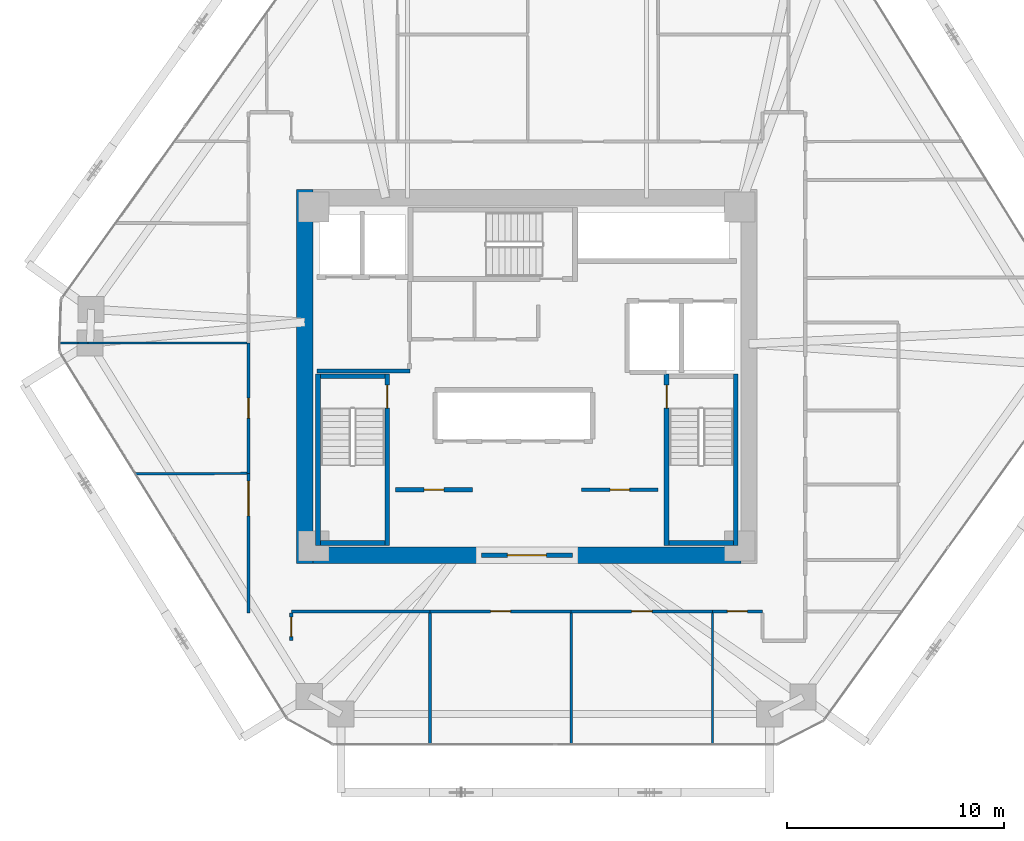
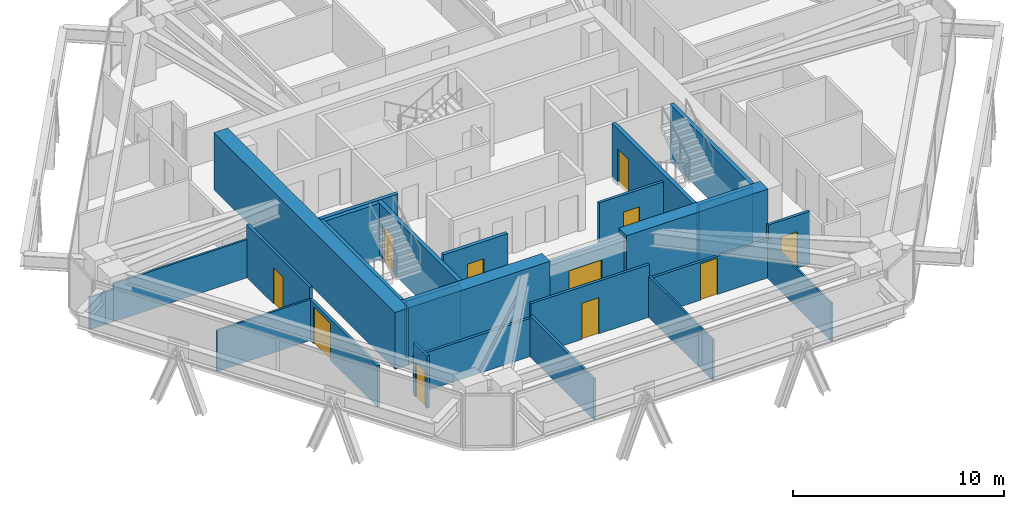
# One storey, part 12 of 16: 28 walls, 11 doors, 11 openings.
"""IFC4 building model written with IfcOpenShell, lengths in metres."""

from ifc_helpers import new_model, si_unit, direction, frame, frame_2d, origin, place, context, subcontext, project, spatial, rectangle, extrude, source, transform, mapped, material, layer, layer_set, type_object, type_shapes, element, fill, save


model = new_model("IFC4")

# Units and contexts
model_context = context("Model", 3, precision=1e-05, world=origin(), true_north=direction((0.0, 1.0)))
body_context = subcontext(model_context, "Body", "Model", "MODEL_VIEW")
ifc_project = project(units=[si_unit("LENGTHUNIT", "METRE"), si_unit("AREAUNIT", "SQUARE_METRE"), si_unit("VOLUMEUNIT", "CUBIC_METRE"), si_unit("PLANEANGLEUNIT", "RADIAN"), si_unit("MASSUNIT", "GRAM", prefix="KILO")], contexts=[model_context])

# Site, building, storey
site_placement = place(None, origin())
site = spatial("IfcSite", under=ifc_project, at=site_placement, CompositionType="ELEMENT")
building_placement = place(site_placement, origin())
building = spatial("IfcBuilding", under=site, at=building_placement, Name="Durnholm Broadcast Tower", CompositionType="ELEMENT")
storey_placement = place(building_placement, frame((0.0, 0.0, 117.300048828125)))
storey = spatial("IfcBuildingStorey", under=building, at=storey_placement, Name="L31", CompositionType="ELEMENT", Elevation=117.300048828125)

# Walls
ifc_material_1 = material(Name="Concrete C70/85", Category="concrete")
ifc_layer_1 = layer(ifc_material_1, 0.75)
ifc_layer_set_1 = layer_set([ifc_layer_1], Name="Concrete C70/85")
wall_type_1 = type_object("IfcWallType", Name="WALL-CW-750", PredefinedType="SHEAR", material=ifc_layer_set_1)
wall_1_placement = place(storey_placement, frame((-10.22509765625, -8.60009765625, 0.0), z_axis=(0.0, 0.0, 1.0), x_axis=(0.0, 1.0, 0.0)))
element("IfcWall", 1, at=wall_1_placement, inside=storey, type_object=wall_type_1, Name="L31 central core shear wall CW-WEST", PredefinedType="SHEAR", context=body_context, shape_type="SweptSolid", body=[
    extrude(rectangle(XDim=17.2001953125, YDim=0.75, at=frame_2d((8.60009765625, 0.0))), origin(), (0.0, 0.0, 1.0), 3.300048828125),
])
for number, where, z_axis, x_axis, name in (
    (2, (-9.85009765625, -8.22509765625, 0.0), (0.0, 0.0, 1.0), (1.0, 0.0, 0.0), "L31 central core shear wall CW-S1"),
    (3, (2.10009765625, -8.22509765625, 0.0), (0.0, 0.0, 1.0), (1.0, 0.0, 0.0), "L31 central core shear wall CW-S2"),
):
    element("IfcWall", number, at=place(storey_placement, frame(where, z_axis=z_axis, x_axis=x_axis)), inside=storey, type_object=wall_type_1, Name=name, PredefinedType="SHEAR", context=body_context, shape_type="SweptSolid", body=[
        extrude(rectangle(XDim=7.75, YDim=0.75, at=frame_2d((3.875, 0.0))), origin(), (0.0, 0.0, 1.0), 3.300048828125),
    ])

# Wall, opening, door
ifc_material_2 = material(Name="Fire-Rated Gypsum Shaftwall", Category="concrete")
ifc_layer_2 = layer(ifc_material_2, 0.199951171875)
ifc_layer_set_2 = layer_set([ifc_layer_2], Name="Fire-Rated Gypsum Shaftwall")
wall_type_2 = type_object("IfcWallType", Name="WALL-LOB-200", PredefinedType="SOLIDWALL", material=ifc_layer_set_2)
wall_2_placement = place(storey_placement, frame((-2.10009765625, -8.22509765625, 0.0), z_axis=(0.0, 0.0, 1.0), x_axis=(1.0, 0.0, 0.0)))
wall_2 = element("IfcWall", 4, at=wall_2_placement, inside=storey, type_object=wall_type_2, Name="L31 south core lobby fire screen", PredefinedType="SOLIDWALL", context=body_context, shape_type="SweptSolid", body=[
    extrude(rectangle(XDim=4.2001953125, YDim=0.199951171875, at=frame_2d((2.10009765625, 0.0))), origin(), (0.0, 0.0, 1.0), 3.044921875),
])
opening_1_placement = place(wall_2_placement, frame((1.199951171875, 0.0, 0.0)))
opening_1 = element("IfcOpeningElement", 5, at=opening_1_placement, cuts=wall_2, Name="Opening DP-60", PredefinedType="OPENING", context=body_context, shape_type="SweptSolid", body=[
    extrude(rectangle(XDim=1.800048828125, YDim=2.14990234375, at=frame_2d((0.89990234375, 1.074951171875))), frame((0.0, 0.10986328125, 0.0), z_axis=(0.0, -1.0, 0.0), x_axis=(1.0, 0.0, 0.0)), (0.0, 0.0, 1.0), 0.219970703125),
])
ifc_material_3 = material(Name="Fire-Rated Double Corridor Door", Category="steel")
ifc_layer_3 = layer(ifc_material_3, 0.050048828125)
ifc_layer_set_3 = layer_set([ifc_layer_3], Name="Fire-Rated Double Corridor Door")
door_type_1 = type_object("IfcDoorType", Name="DOOR-PAIR-FD60", OperationType="DOUBLE_DOOR_SINGLE_SWING", PredefinedType="DOOR", material=ifc_layer_set_3)
shared_shape_1 = source(origin(), body_context, "Body", "SweptSolid", [
    extrude(rectangle(XDim=1.800048828125, YDim=2.14990234375, at=frame_2d((0.89990234375, 1.074951171875))), frame((0.0, 0.02490234375, 0.0), z_axis=(0.0, -1.0, 0.0), x_axis=(1.0, 0.0, 0.0)), (0.0, 0.0, 1.0), 0.050048828125),
])
type_shapes(door_type_1, [shared_shape_1])
door_1_placement = place(opening_1_placement, origin())
door_1 = element("IfcDoor", 6, at=door_1_placement, inside=storey, type_object=door_type_1, Name="L31 south core lobby double fire door", OperationType="DOUBLE_DOOR_SINGLE_SWING", OverallHeight=2.14990234375, OverallWidth=1.800048828125, PredefinedType="DOOR", context=body_context, shape_type="MappedRepresentation", body=[
    mapped(shared_shape_1, transform((0.0, 0.0, 0.0), x_axis=(1.0, 0.0, 0.0), y_axis=(0.0, 1.0, 0.0), z_axis=(0.0, 0.0, 1.0), scale=1.0)),
])
fill(opening_1, door_1)

# Wall
wall_3_placement = place(storey_placement, frame((-9.64990234375, 0.25, 0.0), z_axis=(0.0, 0.0, 1.0), x_axis=(1.0, 0.0, 0.0)))
element("IfcWall", 7, at=wall_3_placement, inside=storey, type_object=wall_type_2, Name="L31 Fire Service Access Elevator lobby south wall", PredefinedType="SOLIDWALL", context=body_context, shape_type="SweptSolid", body=[
    extrude(rectangle(XDim=4.27001953125, YDim=0.199951171875, at=frame_2d((2.135009765625, 0.0))), origin(), (0.0, 0.0, 1.0), 3.044921875),
])

# Wall, opening, door
wall_4_placement = place(storey_placement, frame((-6.0400390625, -5.2099609375, 0.0), z_axis=(0.0, 0.0, 1.0), x_axis=(1.0, 0.0, 0.0)))
wall_4 = element("IfcWall", 8, at=wall_4_placement, inside=storey, type_object=wall_type_2, Name="L31 Broadcast Signal Rack Room corridor partition", PredefinedType="SOLIDWALL", context=body_context, shape_type="SweptSolid", body=[
    extrude(rectangle(XDim=3.530029296875, YDim=0.199951171875, at=frame_2d((1.76513671875, 0.0))), origin(), (0.0, 0.0, 1.0), 3.044921875),
])
opening_2_placement = place(wall_4_placement, frame((1.31494140625, 0.0, 0.0)))
opening_2 = element("IfcOpeningElement", 9, at=opening_2_placement, cuts=wall_4, Name="Opening DC-60R", PredefinedType="OPENING", context=body_context, shape_type="SweptSolid", body=[
    extrude(rectangle(XDim=0.89990234375, YDim=2.050048828125, at=frame_2d((0.449951171875, 1.02490234375))), frame((0.0, 0.10986328125, 0.0), z_axis=(0.0, -1.0, 0.0), x_axis=(1.0, 0.0, 0.0)), (0.0, 0.0, 1.0), 0.219970703125),
])
ifc_material_4 = material(Name="Fire-Rated Core Service Door", Category="steel")
ifc_layer_4 = layer(ifc_material_4, 0.050048828125)
ifc_layer_set_4 = layer_set([ifc_layer_4], Name="Fire-Rated Core Service Door")
door_type_2 = type_object("IfcDoorType", Name="DOOR-CORE-FD60-R", OperationType="NOTDEFINED", PredefinedType="DOOR", material=ifc_layer_set_4)
shared_shape_2 = source(origin(), body_context, "Body", "SweptSolid", [
    extrude(rectangle(XDim=0.89990234375, YDim=2.050048828125, at=frame_2d((0.449951171875, 1.02490234375))), frame((0.0, 0.02490234375, 0.0), z_axis=(0.0, -1.0, 0.0), x_axis=(1.0, 0.0, 0.0)), (0.0, 0.0, 1.0), 0.050048828125),
])
type_shapes(door_type_2, [shared_shape_2])
door_2_placement = place(opening_2_placement, origin())
door_2 = element("IfcDoor", 10, at=door_2_placement, inside=storey, type_object=door_type_2, Name="L31 Broadcast Signal Rack Room entrance door", OperationType="SINGLE_SWING_RIGHT", OverallHeight=2.050048828125, OverallWidth=0.89990234375, PredefinedType="DOOR", context=body_context, shape_type="MappedRepresentation", body=[
    mapped(shared_shape_2, transform((0.0, 0.0, 0.0), x_axis=(1.0, 0.0, 0.0), y_axis=(0.0, 1.0, 0.0), z_axis=(0.0, 0.0, 1.0), scale=1.0)),
])
fill(opening_2, door_2)

# Walls
ifc_material_5 = material(Name="Operable Acoustic Panel Partition", Category="aluminium")
ifc_layer_5 = layer(ifc_material_5, 0.110107421875)
ifc_layer_set_5 = layer_set([ifc_layer_5], Name="Operable Acoustic Panel Partition")
wall_type_3 = type_object("IfcWallType", Name="WALL-MOV-110", PredefinedType="MOVABLE", material=ifc_layer_set_5)
wall_5_placement = place(storey_placement, frame((2.0400390625, -10.888916015625, 0.0), z_axis=(0.0, 0.0, 1.0), x_axis=(0.0, -1.0, 0.0)))
element("IfcWall", 11, at=wall_5_placement, inside=storey, type_object=wall_type_3, Name="L31 room dividing partition 17.18", PredefinedType="MOVABLE", context=body_context, shape_type="SweptSolid", body=[
    extrude(rectangle(XDim=6.048095703125, YDim=0.110107421875, at=frame_2d((3.02392578125, 0.0))), origin(), (0.0, 0.0, 1.0), 2.3798828125),
])
wall_6_placement = place(storey_placement, frame((8.5400390625, -10.888916015625, 0.0), z_axis=(0.0, 0.0, 1.0), x_axis=(0.0, -1.0, 0.0)))
element("IfcWall", 12, at=wall_6_placement, inside=storey, type_object=wall_type_3, Name="L31 room dividing partition 18.19", PredefinedType="MOVABLE", context=body_context, shape_type="SweptSolid", body=[
    extrude(rectangle(XDim=6.048095703125, YDim=0.110107421875, at=frame_2d((3.02392578125, 0.0))), origin(), (0.0, 0.0, 1.0), 2.212158203125),
])
wall_7_placement = place(storey_placement, frame((-18.0146484375, -4.481201171875, 0.0), z_axis=(0.0, 0.0, 1.0), x_axis=(0.999991610624, 0.004096179019, 0.0)))
element("IfcWall", 13, at=wall_7_placement, inside=storey, type_object=wall_type_3, Name="L31 room dividing partition 20.21", PredefinedType="MOVABLE", context=body_context, shape_type="SweptSolid", body=[
    extrude(rectangle(XDim=5.125732421875, YDim=0.110107421875, at=frame_2d((2.56298828125, 0.0))), origin(), (0.0, 0.0, 1.0), 2.3798828125),
])
wall_8_placement = place(storey_placement, frame((-21.50341796875, 1.54150390625, 0.0), z_axis=(0.0, 0.0, 1.0), x_axis=(0.999999958331, -0.000288683591, 0.0)))
element("IfcWall", 14, at=wall_8_placement, inside=storey, type_object=wall_type_3, Name="L31 room dividing partition 21.22", PredefinedType="MOVABLE", context=body_context, shape_type="SweptSolid", body=[
    extrude(rectangle(XDim=0.845703125, YDim=0.110107421875, at=frame_2d((0.4228515625, 0.0))), origin(), (0.0, 0.0, 1.0), 1.876953125),
])
wall_9_placement = place(storey_placement, frame((-20.201416015625, 1.541259765625, 0.0), z_axis=(0.0, 0.0, 1.0), x_axis=(0.999999986067, -0.000166933758, 0.0)))
element("IfcWall", 15, at=wall_9_placement, inside=storey, type_object=wall_type_3, Name="L31 room dividing partition 21.22", PredefinedType="MOVABLE", context=body_context, shape_type="SweptSolid", body=[
    extrude(rectangle(XDim=7.3125, YDim=0.110107421875, at=frame_2d((3.65625, 0.0))), origin(), (0.0, 0.0, 1.0), 2.212158203125),
])
wall_10_placement = place(storey_placement, frame((-20.65771484375, 1.541259765625, 0.0), z_axis=(0.0, 0.0, 1.0), x_axis=(1.0, 0.0, 0.0)))
element("IfcWall", 16, at=wall_10_placement, inside=storey, type_object=wall_type_3, Name="L31 room dividing partition 21.22", PredefinedType="MOVABLE", context=body_context, shape_type="SweptSolid", body=[
    extrude(rectangle(XDim=0.456298828125, YDim=0.110107421875, at=frame_2d((0.22802734375, 0.0))), origin(), (0.0, 0.0, 1.0), 1.876953125),
])
ifc_material_6 = material(Name="Gypsum Metal Stud Partition", Category="concrete")
ifc_layer_6 = layer(ifc_material_6, 0.135009765625)
ifc_layer_set_6 = layer_set([ifc_layer_6], Name="Gypsum Metal Stud Partition")
wall_type_4 = type_object("IfcWallType", Name="WALL-PART-135", PredefinedType="PARTITIONING", material=ifc_layer_set_6)
wall_11_placement = place(storey_placement, frame((-4.4599609375, -10.888916015625, 0.0), z_axis=(0.0, 0.0, 1.0), x_axis=(0.0, -1.0, 0.0)))
element("IfcWall", 17, at=wall_11_placement, inside=storey, type_object=wall_type_4, Name="L31 room dividing partition 16.17", PredefinedType="PARTITIONING", context=body_context, shape_type="SweptSolid", body=[
    extrude(rectangle(XDim=6.048095703125, YDim=0.135009765625, at=frame_2d((3.02392578125, 0.0))), origin(), (0.0, 0.0, 1.0), 2.3798828125),
])

# Wall, opening, door
ifc_material_7 = material(Name="Acoustic Gypsum Stud Partition", Category="concrete")
ifc_layer_7 = layer(ifc_material_7, 0.14990234375)
ifc_layer_set_7 = layer_set([ifc_layer_7], Name="Acoustic Gypsum Stud Partition")
wall_type_5 = type_object("IfcWallType", Name="WALL-PART-150", PredefinedType="PARTITIONING", material=ifc_layer_set_7)
wall_12_placement = place(storey_placement, frame((2.510009765625, -5.2099609375, 0.0), z_axis=(0.0, 0.0, 1.0), x_axis=(1.0, 0.0, 0.0)))
wall_12 = element("IfcWall", 18, at=wall_12_placement, inside=storey, type_object=wall_type_5, Name="L31 Editorial Beverage Pantry corridor partition", PredefinedType="PARTITIONING", context=body_context, shape_type="SweptSolid", body=[
    extrude(rectangle(XDim=3.530029296875, YDim=0.14990234375, at=frame_2d((1.76513671875, 0.0))), origin(), (0.0, 0.0, 1.0), 3.044921875),
])
opening_3_placement = place(wall_12_placement, frame((1.31494140625, 0.0, 0.0)))
opening_3 = element("IfcOpeningElement", 19, at=opening_3_placement, cuts=wall_12, Name="Opening DC-60L", PredefinedType="OPENING", context=body_context, shape_type="SweptSolid", body=[
    extrude(rectangle(XDim=0.89990234375, YDim=2.050048828125, at=frame_2d((0.449951171875, 1.02490234375))), frame((0.0, 0.0849609375, 0.0), z_axis=(0.0, -1.0, 0.0), x_axis=(1.0, 0.0, 0.0)), (0.0, 0.0, 1.0), 0.169921875),
])
ifc_layer_8 = layer(ifc_material_4, 0.050048828125)
ifc_layer_set_8 = layer_set([ifc_layer_8], Name="Fire-Rated Core Service Door")
door_type_3 = type_object("IfcDoorType", Name="DOOR-CORE-FD60-L", OperationType="NOTDEFINED", PredefinedType="DOOR", material=ifc_layer_set_8)
shared_shape_3 = source(origin(), body_context, "Body", "SweptSolid", [
    extrude(rectangle(XDim=0.89990234375, YDim=2.050048828125, at=frame_2d((0.449951171875, 1.02490234375))), frame((0.0, 0.02490234375, 0.0), z_axis=(0.0, -1.0, 0.0), x_axis=(1.0, 0.0, 0.0)), (0.0, 0.0, 1.0), 0.050048828125),
])
type_shapes(door_type_3, [shared_shape_3])
door_3_placement = place(opening_3_placement, origin())
door_3 = element("IfcDoor", 20, at=door_3_placement, inside=storey, type_object=door_type_3, Name="L31 Editorial Beverage Pantry entrance door", OperationType="SINGLE_SWING_LEFT", OverallHeight=2.050048828125, OverallWidth=0.89990234375, PredefinedType="DOOR", context=body_context, shape_type="MappedRepresentation", body=[
    mapped(shared_shape_3, transform((0.0, 0.0, 0.0), x_axis=(1.0, 0.0, 0.0), y_axis=(0.0, 1.0, 0.0), z_axis=(0.0, 0.0, 1.0), scale=1.0)),
])
fill(opening_3, door_3)

# Wall
wall_13_placement = place(storey_placement, frame((-10.840087890625, -10.81005859375, 0.0), z_axis=(0.0, 0.0, 1.0), x_axis=(1.0, 0.0, 0.0)))
element("IfcWall", 21, at=wall_13_placement, inside=storey, type_object=wall_type_5, Name="L31 Open Plan Broadcast Workspace 4 corridor partition", PredefinedType="PARTITIONING", context=body_context, shape_type="SweptSolid", body=[
    extrude(rectangle(XDim=6.380126953125, YDim=0.14990234375, at=frame_2d((3.18994140625, 0.0))), origin(), (0.0, 0.0, 1.0), 2.212158203125),
])

# Wall, opening, door
wall_14_placement = place(storey_placement, frame((-10.840087890625, -12.159912109375, 0.0), z_axis=(0.0, 0.0, 1.0), x_axis=(0.0, 1.0, 0.0)))
wall_14 = element("IfcWall", 22, at=wall_14_placement, inside=storey, type_object=wall_type_5, Name="L31 Open Plan Broadcast Workspace 4 corridor partition", PredefinedType="PARTITIONING", context=body_context, shape_type="SweptSolid", body=[
    extrude(rectangle(XDim=1.27099609375, YDim=0.14990234375, at=frame_2d((0.635498046875, 0.0))), origin(), (0.0, 0.0, 1.0), 3.044921875),
])
opening_4_placement = place(wall_14_placement, frame((0.185546875, 0.0, 0.0)))
opening_4 = element("IfcOpeningElement", 23, at=opening_4_placement, cuts=wall_14, Name="Opening DW-90L", PredefinedType="OPENING", context=body_context, shape_type="SweptSolid", body=[
    extrude(rectangle(XDim=0.89990234375, YDim=2.050048828125, at=frame_2d((0.449951171875, 1.02490234375))), frame((0.0, 0.0849609375, 0.0), z_axis=(0.0, -1.0, 0.0), x_axis=(1.0, 0.0, 0.0)), (0.0, 0.0, 1.0), 0.169921875),
])
ifc_material_8 = material(Name="Laminate Restroom Door", Category="steel")
ifc_layer_9 = layer(ifc_material_8, 0.050048828125)
ifc_layer_set_9 = layer_set([ifc_layer_9], Name="Laminate Restroom Door")
door_type_4 = type_object("IfcDoorType", Name="DOOR-WC-900L", OperationType="NOTDEFINED", PredefinedType="DOOR", material=ifc_layer_set_9)
shared_shape_4 = source(origin(), body_context, "Body", "SweptSolid", [
    extrude(rectangle(XDim=0.89990234375, YDim=2.050048828125, at=frame_2d((0.449951171875, 1.02490234375))), frame((0.0, 0.02490234375, 0.0), z_axis=(0.0, -1.0, 0.0), x_axis=(1.0, 0.0, 0.0)), (0.0, 0.0, 1.0), 0.050048828125),
])
type_shapes(door_type_4, [shared_shape_4])
door_4_placement = place(opening_4_placement, origin())
door_4 = element("IfcDoor", 24, at=door_4_placement, inside=storey, type_object=door_type_4, Name="L31 Open Plan Broadcast Workspace 4 entrance door", OperationType="SINGLE_SWING_LEFT", OverallHeight=2.050048828125, OverallWidth=0.89990234375, PredefinedType="DOOR", context=body_context, shape_type="MappedRepresentation", body=[
    mapped(shared_shape_4, transform((0.0, 0.0, 0.0), x_axis=(1.0, 0.0, 0.0), y_axis=(0.0, 1.0, 0.0), z_axis=(0.0, 0.0, 1.0), scale=1.0)),
])
fill(opening_4, door_4)

wall_15_placement = place(storey_placement, frame((-4.4599609375, -10.81005859375, 0.0), z_axis=(0.0, 0.0, 1.0), x_axis=(1.0, 0.0, 0.0)))
wall_15 = element("IfcWall", 25, at=wall_15_placement, inside=storey, type_object=wall_type_5, Name="L31 Syndication Meeting Room 1 corridor partition", PredefinedType="PARTITIONING", context=body_context, shape_type="SweptSolid", body=[
    extrude(rectangle(XDim=6.5, YDim=0.14990234375, at=frame_2d((3.25, 0.0))), origin(), (0.0, 0.0, 1.0), 3.044921875),
])
opening_5_placement = place(wall_15_placement, frame((2.7900390625, 0.0, 0.0)))
opening_5 = element("IfcOpeningElement", 26, at=opening_5_placement, cuts=wall_15, Name="Opening DR-92R", PredefinedType="OPENING", context=body_context, shape_type="SweptSolid", body=[
    extrude(rectangle(XDim=0.919921875, YDim=2.10009765625, at=frame_2d((0.4599609375, 1.050048828125))), frame((0.0, 0.0849609375, 0.0), z_axis=(0.0, -1.0, 0.0), x_axis=(1.0, 0.0, 0.0)), (0.0, 0.0, 1.0), 0.169921875),
])
ifc_material_9 = material(Name="Oak Veneer Office Door", Category="wood")
ifc_layer_10 = layer(ifc_material_9, 0.050048828125)
ifc_layer_set_10 = layer_set([ifc_layer_10], Name="Oak Veneer Office Door")
door_type_5 = type_object("IfcDoorType", Name="DOOR-RM-920R", OperationType="NOTDEFINED", PredefinedType="DOOR", material=ifc_layer_set_10)
shared_shape_5 = source(origin(), body_context, "Body", "SweptSolid", [
    extrude(rectangle(XDim=0.919921875, YDim=2.10009765625, at=frame_2d((0.4599609375, 1.050048828125))), frame((0.0, 0.02490234375, 0.0), z_axis=(0.0, -1.0, 0.0), x_axis=(1.0, 0.0, 0.0)), (0.0, 0.0, 1.0), 0.050048828125),
])
type_shapes(door_type_5, [shared_shape_5])
door_5_placement = place(opening_5_placement, origin())
door_5 = element("IfcDoor", 27, at=door_5_placement, inside=storey, type_object=door_type_5, Name="L31 Syndication Meeting Room 1 entrance door", OperationType="SINGLE_SWING_RIGHT", OverallHeight=2.10009765625, OverallWidth=0.919921875, PredefinedType="DOOR", context=body_context, shape_type="MappedRepresentation", body=[
    mapped(shared_shape_5, transform((0.0, 0.0, 0.0), x_axis=(1.0, 0.0, 0.0), y_axis=(0.0, 1.0, 0.0), z_axis=(0.0, 0.0, 1.0), scale=1.0)),
])
fill(opening_5, door_5)

wall_16_placement = place(storey_placement, frame((2.0400390625, -10.81005859375, 0.0), z_axis=(0.0, 0.0, 1.0), x_axis=(1.0, 0.0, 0.0)))
wall_16 = element("IfcWall", 28, at=wall_16_placement, inside=storey, type_object=wall_type_5, Name="L31 Syndication Meeting Room 2 corridor partition", PredefinedType="PARTITIONING", context=body_context, shape_type="SweptSolid", body=[
    extrude(rectangle(XDim=6.5, YDim=0.14990234375, at=frame_2d((3.25, 0.0))), origin(), (0.0, 0.0, 1.0), 2.212158203125),
])
opening_6_placement = place(wall_16_placement, frame((2.77490234375, 0.0, 0.0)))
opening_6 = element("IfcOpeningElement", 29, at=opening_6_placement, cuts=wall_16, Name="Opening DR-95L", PredefinedType="OPENING", context=body_context, shape_type="SweptSolid", body=[
    extrude(rectangle(XDim=0.949951171875, YDim=2.10009765625, at=frame_2d((0.47509765625, 1.050048828125))), frame((0.0, 0.0849609375, 0.0), z_axis=(0.0, -1.0, 0.0), x_axis=(1.0, 0.0, 0.0)), (0.0, 0.0, 1.0), 0.169921875),
])
ifc_material_10 = material(Name="Acoustic Oak Veneer Timber Door", Category="wood")
ifc_layer_11 = layer(ifc_material_10, 0.050048828125)
ifc_layer_set_11 = layer_set([ifc_layer_11], Name="Acoustic Oak Veneer Timber Door")
door_type_6 = type_object("IfcDoorType", Name="DOOR-RM-950L", OperationType="NOTDEFINED", PredefinedType="DOOR", material=ifc_layer_set_11)
shared_shape_6 = source(origin(), body_context, "Body", "SweptSolid", [
    extrude(rectangle(XDim=0.949951171875, YDim=2.10009765625, at=frame_2d((0.47509765625, 1.050048828125))), frame((0.0, 0.02490234375, 0.0), z_axis=(0.0, -1.0, 0.0), x_axis=(1.0, 0.0, 0.0)), (0.0, 0.0, 1.0), 0.050048828125),
])
type_shapes(door_type_6, [shared_shape_6])
door_6_placement = place(opening_6_placement, origin())
door_6 = element("IfcDoor", 30, at=door_6_placement, inside=storey, type_object=door_type_6, Name="L31 Syndication Meeting Room 2 entrance door", OperationType="SINGLE_SWING_LEFT", OverallHeight=2.10009765625, OverallWidth=0.949951171875, PredefinedType="DOOR", context=body_context, shape_type="MappedRepresentation", body=[
    mapped(shared_shape_6, transform((0.0, 0.0, 0.0), x_axis=(1.0, 0.0, 0.0), y_axis=(0.0, 1.0, 0.0), z_axis=(0.0, 0.0, 1.0), scale=1.0)),
])
fill(opening_6, door_6)

wall_17_placement = place(storey_placement, frame((8.5400390625, -10.81005859375, 0.0), z_axis=(0.0, 0.0, 1.0), x_axis=(1.0, 0.0, 0.0)))
wall_17 = element("IfcWall", 31, at=wall_17_placement, inside=storey, type_object=wall_type_5, Name="L31 Open Plan Broadcast Workspace 1 corridor partition", PredefinedType="PARTITIONING", context=body_context, shape_type="SweptSolid", body=[
    extrude(rectangle(XDim=2.300048828125, YDim=0.14990234375, at=frame_2d((1.14990234375, 0.0))), origin(), (0.0, 0.0, 1.0), 3.044921875),
])
opening_7_placement = place(wall_17_placement, frame((0.68994140625, 0.0, 0.0)))
opening_7 = element("IfcOpeningElement", 32, at=opening_7_placement, cuts=wall_17, Name="Opening DR-92R", PredefinedType="OPENING", context=body_context, shape_type="SweptSolid", body=[
    extrude(rectangle(XDim=0.919921875, YDim=2.10009765625, at=frame_2d((0.4599609375, 1.050048828125))), frame((0.0, 0.0849609375, 0.0), z_axis=(0.0, -1.0, 0.0), x_axis=(1.0, 0.0, 0.0)), (0.0, 0.0, 1.0), 0.169921875),
])
door_7_placement = place(opening_7_placement, origin())
door_7 = element("IfcDoor", 33, at=door_7_placement, inside=storey, type_object=door_type_5, Name="L31 Open Plan Broadcast Workspace 1 entrance door", OperationType="SINGLE_SWING_RIGHT", OverallHeight=2.10009765625, OverallWidth=0.919921875, PredefinedType="DOOR", context=body_context, shape_type="MappedRepresentation", body=[
    mapped(shared_shape_5, transform((0.0, 0.0, 0.0), x_axis=(1.0, 0.0, 0.0), y_axis=(0.0, 1.0, 0.0), z_axis=(0.0, 0.0, 1.0), scale=1.0)),
])
fill(opening_7, door_7)

wall_18_placement = place(storey_placement, frame((-12.81005859375, -4.4599609375, 0.0), z_axis=(0.0, 0.0, 1.0), x_axis=(0.0, -1.0, 0.0)))
wall_18 = element("IfcWall", 34, at=wall_18_placement, inside=storey, type_object=wall_type_5, Name="L31 Sales Presentation Hall corridor partition", PredefinedType="PARTITIONING", context=body_context, shape_type="SweptSolid", body=[
    extrude(rectangle(XDim=6.429931640625, YDim=0.14990234375, at=frame_2d((3.21484375, 0.0))), origin(), (0.0, 0.0, 1.0), 2.3798828125),
])
opening_8_placement = place(wall_18_placement, frame((0.35009765625, 0.0, 0.0)))
opening_8 = element("IfcOpeningElement", 35, at=opening_8_placement, cuts=wall_18, Name="Opening DST-160", PredefinedType="OPENING", context=body_context, shape_type="SweptSolid", body=[
    extrude(rectangle(XDim=1.60009765625, YDim=2.14990234375, at=frame_2d((0.800048828125, 1.074951171875))), frame((0.0, 0.0849609375, 0.0), z_axis=(0.0, -1.0, 0.0), x_axis=(1.0, 0.0, 0.0)), (0.0, 0.0, 1.0), 0.169921875),
])
ifc_material_11 = material(Name="Acoustic Broadcast Studio Sound-Lock Door", Category="steel")
ifc_layer_12 = layer(ifc_material_11, 0.050048828125)
ifc_layer_set_12 = layer_set([ifc_layer_12], Name="Acoustic Broadcast Studio Sound-Lock Door")
door_type_7 = type_object("IfcDoorType", Name="DOOR-STU-1600", OperationType="DOUBLE_DOOR_SINGLE_SWING", PredefinedType="DOOR", material=ifc_layer_set_12)
shared_shape_7 = source(origin(), body_context, "Body", "SweptSolid", [
    extrude(rectangle(XDim=1.60009765625, YDim=2.14990234375, at=frame_2d((0.800048828125, 1.074951171875))), frame((0.0, 0.02490234375, 0.0), z_axis=(0.0, -1.0, 0.0), x_axis=(1.0, 0.0, 0.0)), (0.0, 0.0, 1.0), 0.050048828125),
])
type_shapes(door_type_7, [shared_shape_7])
door_8_placement = place(opening_8_placement, origin())
door_8 = element("IfcDoor", 36, at=door_8_placement, inside=storey, type_object=door_type_7, Name="L31 Sales Presentation Hall entrance door", OperationType="DOUBLE_DOOR_SINGLE_SWING", OverallHeight=2.14990234375, OverallWidth=1.60009765625, PredefinedType="DOOR", context=body_context, shape_type="MappedRepresentation", body=[
    mapped(shared_shape_7, transform((0.0, 0.0, 0.0), x_axis=(1.0, 0.0, 0.0), y_axis=(0.0, 1.0, 0.0), z_axis=(0.0, 0.0, 1.0), scale=1.0)),
])
fill(opening_8, door_8)

wall_19_placement = place(storey_placement, frame((-12.81005859375, 1.5400390625, 0.0), z_axis=(0.0, 0.0, 1.0), x_axis=(0.0, -1.0, 0.0)))
wall_19 = element("IfcWall", 37, at=wall_19_placement, inside=storey, type_object=wall_type_5, Name="L31 Research Meeting Room corridor partition", PredefinedType="PARTITIONING", context=body_context, shape_type="SweptSolid", body=[
    extrude(rectangle(XDim=6.0, YDim=0.14990234375, at=frame_2d((3.0, 0.0))), origin(), (0.0, 0.0, 1.0), 3.044921875),
])
opening_9_placement = place(wall_19_placement, frame((2.5400390625, 0.0, 0.0)))
opening_9 = element("IfcOpeningElement", 38, at=opening_9_placement, cuts=wall_19, Name="Opening DR-92R", PredefinedType="OPENING", context=body_context, shape_type="SweptSolid", body=[
    extrude(rectangle(XDim=0.919921875, YDim=2.10009765625, at=frame_2d((0.4599609375, 1.050048828125))), frame((0.0, 0.0849609375, 0.0), z_axis=(0.0, -1.0, 0.0), x_axis=(1.0, 0.0, 0.0)), (0.0, 0.0, 1.0), 0.169921875),
])
door_9_placement = place(opening_9_placement, origin())
door_9 = element("IfcDoor", 39, at=door_9_placement, inside=storey, type_object=door_type_5, Name="L31 Research Meeting Room entrance door", OperationType="SINGLE_SWING_RIGHT", OverallHeight=2.10009765625, OverallWidth=0.919921875, PredefinedType="DOOR", context=body_context, shape_type="MappedRepresentation", body=[
    mapped(shared_shape_5, transform((0.0, 0.0, 0.0), x_axis=(1.0, 0.0, 0.0), y_axis=(0.0, 1.0, 0.0), z_axis=(0.0, 0.0, 1.0), scale=1.0)),
])
fill(opening_9, door_9)

ifc_material_12 = material(Name="Concrete C50/60", Category="concrete")
ifc_layer_13 = layer(ifc_material_12, 0.219970703125)
ifc_layer_set_13 = layer_set([ifc_layer_13], Name="Concrete C50/60")
wall_type_6 = type_object("IfcWallType", Name="WALL-SW-220", PredefinedType="SHEAR", material=ifc_layer_set_13)
wall_20_placement = place(storey_placement, frame((-6.429931640625, -7.77001953125, -0.239990234375), z_axis=(0.0, 0.0, 1.0), x_axis=(0.0, 1.0, 0.0)))
wall_20 = element("IfcWall", 40, at=wall_20_placement, inside=storey, type_object=wall_type_6, Name="L31 stair ST-1 structural shaft wall E", PredefinedType="SHEAR", context=body_context, shape_type="SweptSolid", body=[
    extrude(rectangle(XDim=7.89013671875, YDim=0.219970703125, at=frame_2d((3.945068359375, 0.0))), origin(), (0.0, 0.0, 1.0), 3.300048828125),
])
opening_10_placement = place(wall_20_placement, frame((6.320068359375, 0.0, 0.0)))
opening_10 = element("IfcOpeningElement", 41, at=opening_10_placement, cuts=wall_20, Name="Opening DS-90L", PredefinedType="OPENING", context=body_context, shape_type="SweptSolid", body=[
    extrude(rectangle(XDim=1.050048828125, YDim=2.14990234375, at=frame_2d((0.52490234375, 1.074951171875))), frame((0.0, 0.1201171875, 0.0), z_axis=(0.0, -1.0, 0.0), x_axis=(1.0, 0.0, 0.0)), (0.0, 0.0, 1.0), 0.239990234375),
])
ifc_material_13 = material(Name="Fire-Rated Steel Door", Category="steel")
ifc_layer_14 = layer(ifc_material_13, 0.050048828125)
ifc_layer_set_14 = layer_set([ifc_layer_14], Name="Fire-Rated Steel Door")
door_type_8 = type_object("IfcDoorType", Name="DOOR-ST-FD90-L", OperationType="NOTDEFINED", PredefinedType="DOOR", material=ifc_layer_set_14)
shared_shape_8 = source(origin(), body_context, "Body", "SweptSolid", [
    extrude(rectangle(XDim=1.050048828125, YDim=2.14990234375, at=frame_2d((0.52490234375, 1.074951171875))), frame((0.0, 0.02490234375, 0.0), z_axis=(0.0, -1.0, 0.0), x_axis=(1.0, 0.0, 0.0)), (0.0, 0.0, 1.0), 0.050048828125),
])
type_shapes(door_type_8, [shared_shape_8])
door_10_placement = place(opening_10_placement, origin())
door_10 = element("IfcDoor", 42, at=door_10_placement, inside=storey, type_object=door_type_8, Name="L31 exit stair ST-1 fire door", OperationType="SINGLE_SWING_LEFT", OverallHeight=2.14990234375, OverallWidth=1.050048828125, PredefinedType="DOOR", context=body_context, shape_type="MappedRepresentation", body=[
    mapped(shared_shape_8, transform((0.0, 0.0, 0.0), x_axis=(1.0, 0.0, 0.0), y_axis=(0.0, 1.0, 0.0), z_axis=(0.0, 0.0, 1.0), scale=1.0)),
])
fill(opening_10, door_10)

# Walls
wall_21_placement = place(storey_placement, frame((-9.610107421875, 0.1201171875, -0.239990234375), z_axis=(0.0, 0.0, 1.0), x_axis=(0.0, -1.0, 0.0)))
element("IfcWall", 43, at=wall_21_placement, inside=storey, type_object=wall_type_6, Name="L31 stair ST-1 structural shaft wall W", PredefinedType="SHEAR", context=body_context, shape_type="SweptSolid", body=[
    extrude(rectangle(XDim=7.89013671875, YDim=0.219970703125, at=frame_2d((3.945068359375, 0.0))), origin(), (0.0, 0.0, 1.0), 3.300048828125),
])
for number, where, z_axis, x_axis, name in (
    (44, (-9.5, -7.659912109375, -0.239990234375), (0.0, 0.0, 1.0), (1.0, 0.0, 0.0), "L31 stair ST-1 structural shaft wall S"),
    (45, (-6.5400390625, 0.010009765625, -0.239990234375), (0.0, 0.0, 1.0), (-1.0, 0.0, 0.0), "L31 stair ST-1 structural shaft wall N"),
):
    element("IfcWall", number, at=place(storey_placement, frame(where, z_axis=z_axis, x_axis=x_axis)), inside=storey, type_object=wall_type_6, Name=name, PredefinedType="SHEAR", context=body_context, shape_type="SweptSolid", body=[
        extrude(rectangle(XDim=2.9599609375, YDim=0.219970703125, at=frame_2d((1.47998046875, 0.0))), origin(), (0.0, 0.0, 1.0), 3.300048828125),
    ])
wall_22_placement = place(storey_placement, frame((9.610107421875, -7.77001953125, -0.239990234375), z_axis=(0.0, 0.0, 1.0), x_axis=(0.0, 1.0, 0.0)))
element("IfcWall", 46, at=wall_22_placement, inside=storey, type_object=wall_type_6, Name="L31 stair ST-2 structural shaft wall E", PredefinedType="SHEAR", context=body_context, shape_type="SweptSolid", body=[
    extrude(rectangle(XDim=7.89013671875, YDim=0.219970703125, at=frame_2d((3.945068359375, 0.0))), origin(), (0.0, 0.0, 1.0), 3.300048828125),
])

# Wall, opening, door
wall_23_placement = place(storey_placement, frame((6.429931640625, 0.1201171875, -0.239990234375), z_axis=(0.0, 0.0, 1.0), x_axis=(0.0, -1.0, 0.0)))
wall_23 = element("IfcWall", 47, at=wall_23_placement, inside=storey, type_object=wall_type_6, Name="L31 stair ST-2 structural shaft wall W", PredefinedType="SHEAR", context=body_context, shape_type="SweptSolid", body=[
    extrude(rectangle(XDim=7.89013671875, YDim=0.219970703125, at=frame_2d((3.945068359375, 0.0))), origin(), (0.0, 0.0, 1.0), 3.300048828125),
])
opening_11_placement = place(wall_23_placement, frame((0.52001953125, 0.0, 0.0)))
opening_11 = element("IfcOpeningElement", 48, at=opening_11_placement, cuts=wall_23, Name="Opening DS-90R", PredefinedType="OPENING", context=body_context, shape_type="SweptSolid", body=[
    extrude(rectangle(XDim=1.050048828125, YDim=2.14990234375, at=frame_2d((0.52490234375, 1.074951171875))), frame((0.0, 0.1201171875, 0.0), z_axis=(0.0, -1.0, 0.0), x_axis=(1.0, 0.0, 0.0)), (0.0, 0.0, 1.0), 0.239990234375),
])
ifc_layer_15 = layer(ifc_material_13, 0.050048828125)
ifc_layer_set_15 = layer_set([ifc_layer_15], Name="Fire-Rated Steel Door")
door_type_9 = type_object("IfcDoorType", Name="DOOR-ST-FD90-R", OperationType="NOTDEFINED", PredefinedType="DOOR", material=ifc_layer_set_15)
shared_shape_9 = source(origin(), body_context, "Body", "SweptSolid", [
    extrude(rectangle(XDim=1.050048828125, YDim=2.14990234375, at=frame_2d((0.52490234375, 1.074951171875))), frame((0.0, 0.02490234375, 0.0), z_axis=(0.0, -1.0, 0.0), x_axis=(1.0, 0.0, 0.0)), (0.0, 0.0, 1.0), 0.050048828125),
])
type_shapes(door_type_9, [shared_shape_9])
door_11_placement = place(opening_11_placement, origin())
door_11 = element("IfcDoor", 49, at=door_11_placement, inside=storey, type_object=door_type_9, Name="L31 exit stair ST-2 fire door", OperationType="SINGLE_SWING_RIGHT", OverallHeight=2.14990234375, OverallWidth=1.050048828125, PredefinedType="DOOR", context=body_context, shape_type="MappedRepresentation", body=[
    mapped(shared_shape_9, transform((0.0, 0.0, 0.0), x_axis=(1.0, 0.0, 0.0), y_axis=(0.0, 1.0, 0.0), z_axis=(0.0, 0.0, 1.0), scale=1.0)),
])
fill(opening_11, door_11)

# Wall
wall_24_placement = place(storey_placement, frame((6.5400390625, -7.659912109375, -0.239990234375), z_axis=(0.0, 0.0, 1.0), x_axis=(1.0, 0.0, 0.0)))
element("IfcWall", 50, at=wall_24_placement, inside=storey, type_object=wall_type_6, Name="L31 stair ST-2 structural shaft wall S", PredefinedType="SHEAR", context=body_context, shape_type="SweptSolid", body=[
    extrude(rectangle(XDim=2.9599609375, YDim=0.219970703125, at=frame_2d((1.47998046875, 0.0))), origin(), (0.0, 0.0, 1.0), 3.300048828125),
])

save(model, "model.ifc")
